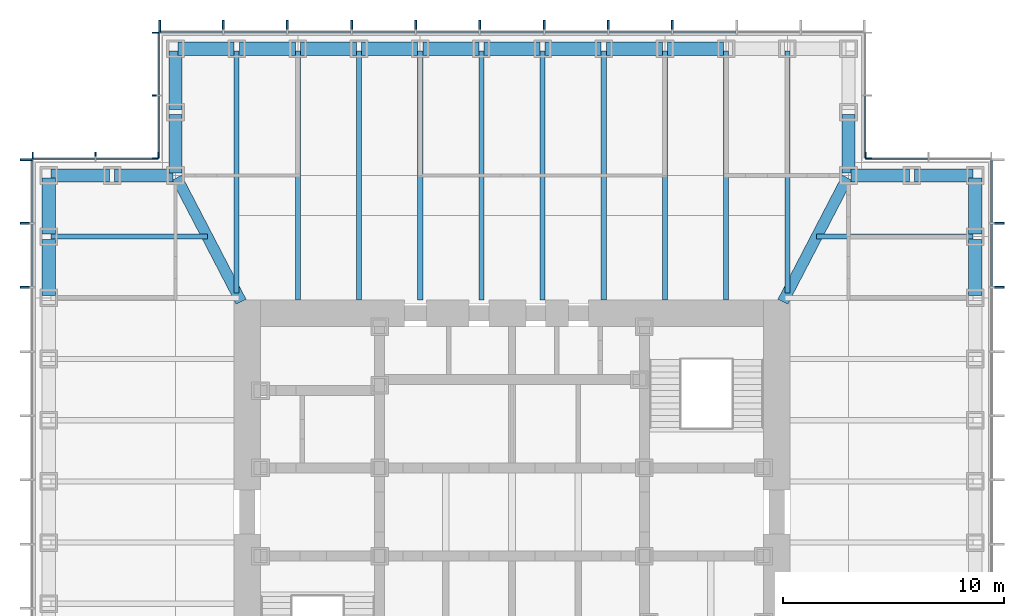
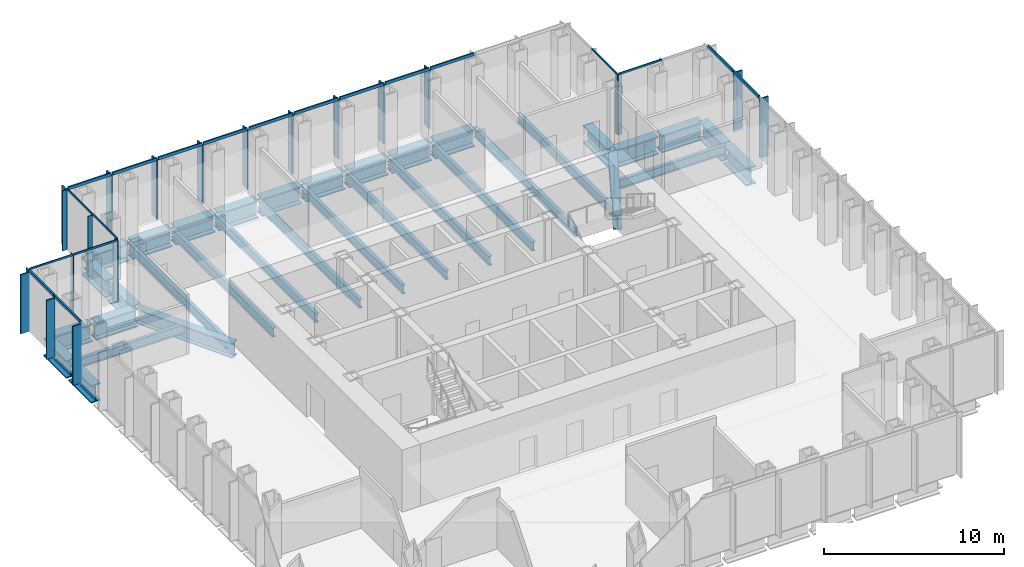
# One storey, part 5 of 16: 41 members, 34 beams, 7 elements without a shape of their own.
"""IFC4 building model written with IfcOpenShell, lengths in metres."""

import ifcopenshell
import ifcopenshell.guid

model = None  # the IFC model being written
_history = None  # IfcOwnerHistory: only IFC2X3 demands one
_inside = {}  # id of a spatial element -> (the spatial element, [elements in it])
_under = {}  # id of a project, library or spatial element -> (it, [spatial elements below it])
_declared = {}  # id of a project -> (the project, [libraries it declares])
_typed = {}  # id of a type object -> (the type object, [elements of that type])
_made_of = {}  # id of a material, layer set ... -> (it, [elements and type objects made of it])


def new_model(schema):
    """Start an empty IFC model of exactly this schema.

    Asked for "IFC4X3", IfcOpenShell would pick the latest addendum, in which some entities
    have other attributes; the version numbers below select the first issue.
    IFC2X3 requires an IfcOwnerHistory on every rooted entity: one is made here for all.
    """
    global model, _history
    if schema == "IFC4X3":
        model = ifcopenshell.file(schema_version=(4, 3, 0, 0))
    else:
        model = ifcopenshell.file(schema=schema)
    _inside.clear()
    _under.clear()
    _declared.clear()
    _typed.clear()
    _made_of.clear()
    _history = None
    if model.schema == "IFC2X3":
        org = make("IfcOrganization", Name="unknown")
        user = make(
            "IfcPersonAndOrganization",
            ThePerson=make("IfcPerson", FamilyName="unknown"),
            TheOrganization=org,
        )
        app = make(
            "IfcApplication",
            ApplicationDeveloper=org,
            Version="unknown",
            ApplicationFullName="unknown",
            ApplicationIdentifier="unknown",
        )
        _history = make(
            "IfcOwnerHistory",
            OwningUser=user,
            OwningApplication=app,
            ChangeAction="ADDED",
            CreationDate=0,
        )
    return model


def make(cls, **values):
    """One entity of the class cls with the attributes given. An attribute that is None is left unset."""
    return model.create_entity(
        cls, **{name: value for name, value in values.items() if value is not None}
    )


def rooted(cls, **values):
    """An entity with a GlobalId (a new one), such as an element, a storey or a relation."""
    return make(cls, GlobalId=ifcopenshell.guid.new(), OwnerHistory=_history, **values)


def si_unit(unit_type, name, prefix=None):
    """IfcSIUnit, for example si_unit("LENGTHUNIT", "METRE", prefix="MILLI")."""
    return make("IfcSIUnit", UnitType=unit_type, Prefix=prefix, Name=name)


def assignment(units):
    """IfcUnitAssignment: the units of a project."""
    return None if units is None else make("IfcUnitAssignment", Units=units)


def point(xyz):
    """IfcCartesianPoint."""
    return None if xyz is None else make("IfcCartesianPoint", Coordinates=xyz)


def direction(xyz):
    """IfcDirection."""
    return None if xyz is None else make("IfcDirection", DirectionRatios=xyz)


def frame(location, z_axis=None, x_axis=None):
    """IfcAxis2Placement3D, a coordinate frame: its origin and axes. An axis left out is left unset."""
    return make(
        "IfcAxis2Placement3D",
        Location=point(location),
        Axis=direction(z_axis),
        RefDirection=direction(x_axis),
    )


def frame_2d(location, x_axis=None):
    """IfcAxis2Placement2D, a coordinate frame in the plane: its origin and x axis."""
    return make(
        "IfcAxis2Placement2D", Location=point(location), RefDirection=direction(x_axis)
    )


def origin():
    """The frame at (0, 0, 0) with its axes left unset."""
    return frame((0.0, 0.0, 0.0))


def origin_2d():
    """The frame at (0, 0) in the plane with its x axis left unset."""
    return frame_2d((0.0, 0.0))


def place(relative_to, where):
    """IfcLocalPlacement: puts the frame where relative to a parent placement (None: the world)."""
    return make(
        "IfcLocalPlacement", PlacementRelTo=relative_to, RelativePlacement=where
    )


def context(
    kind, dimensions, precision=None, world=None, true_north=None, identifier=None
):
    """IfcGeometricRepresentationContext, for example the 3D "Model" context."""
    return make(
        "IfcGeometricRepresentationContext",
        ContextIdentifier=identifier,
        ContextType=kind,
        CoordinateSpaceDimension=dimensions,
        Precision=precision,
        WorldCoordinateSystem=world,
        TrueNorth=true_north,
    )


def subcontext(parent, identifier, kind, view, scale=None):
    """IfcGeometricRepresentationSubContext, for example "Body" below "Model"."""
    return make(
        "IfcGeometricRepresentationSubContext",
        ContextIdentifier=identifier,
        ContextType=kind,
        ParentContext=parent,
        TargetScale=scale,
        TargetView=view,
    )


def project(units=None, contexts=None):
    """IfcProject with its units and contexts."""
    return rooted(
        "IfcProject",
        Name="project",
        RepresentationContexts=contexts,
        UnitsInContext=assignment(units),
    )


def spatial(cls, under=None, at=None, **own):
    """A site, building, storey or space (cls), placed at a placement, below another one or the project."""
    s = rooted(cls, ObjectPlacement=at, **own)
    if under is not None:
        _under.setdefault(under.id(), (under, []))[1].append(s)
    return s


def profile(cls, at=None, kind="AREA", **sizes):
    """A parametric profile (cls). Its sizes go by their IFC names, for example OverallWidth=200.0."""
    return make(cls, ProfileType=kind, Position=at, **sizes)


def rectangle(**sizes):
    """IfcRectangleProfileDef."""
    return profile("IfcRectangleProfileDef", **sizes)


def i_section(**sizes):
    """IfcIShapeProfileDef."""
    return profile("IfcIShapeProfileDef", **sizes)


def extrude(swept, where, along, depth):
    """IfcExtrudedAreaSolid: the profile swept, set in the frame where, extruded along a direction by depth."""
    return make(
        "IfcExtrudedAreaSolid",
        SweptArea=swept,
        Position=where,
        ExtrudedDirection=direction(along),
        Depth=depth,
    )


def shape(context_of_items, identifier, shape_type, items):
    """IfcShapeRepresentation: the items that make up one representation, for example the "Body"."""
    return make(
        "IfcShapeRepresentation",
        ContextOfItems=context_of_items,
        RepresentationIdentifier=identifier,
        RepresentationType=shape_type,
        Items=items,
    )


def material(Name=None, Category=None):
    """IfcMaterial."""
    return make("IfcMaterial", Name=Name, Category=Category)


def material_profile(
    of_material, cross_section, Name=None, Category=None, Priority=None
):
    """IfcMaterialProfile: a cross section and its material."""
    return make(
        "IfcMaterialProfile",
        Name=Name,
        Material=of_material,
        Profile=cross_section,
        Priority=Priority,
        Category=Category,
    )


def profile_set(profiles, Name=None, composite=None):
    """IfcMaterialProfileSet."""
    return make(
        "IfcMaterialProfileSet",
        Name=Name,
        MaterialProfiles=profiles,
        CompositeProfile=composite,
    )


def made_of(thing, what):
    """Note that an element or type object is made of a material, layer set ...; save() writes the relation."""
    if what is not None:
        _made_of.setdefault(what.id(), (what, []))[1].append(thing)
    return thing


def type_object(cls, material=None, **own):
    """A type object (cls), such as IfcWallType, which elements share."""
    return made_of(rooted(cls, **own), material)


def element(
    cls,
    number,
    at=None,
    inside=None,
    cuts=None,
    type_object=None,
    material=None,
    context=None,
    identifier="Body",
    shape_type=None,
    held_by="IfcProductDefinitionShape",
    body=None,
    shapes=None,
    **own,
):
    """One element of the class cls, such as IfcWall. Its Tag is "e" and its number.

    at: its placement. inside: the storey or other place that contains it. cuts: it is an
    opening in that element (IfcRelVoidsElement). A single representation is given by context,
    identifier, shape_type and body (its items); several are given by shapes. held_by: the class
    of the entity that holds the representations. save() writes the other relations.
    """
    e = rooted(cls, Tag="e%d" % number, ObjectPlacement=at, **own)
    if body is not None:
        shapes = [shape(context, identifier, shape_type, body)]
    if shapes is not None:
        e.Representation = make(held_by, Representations=shapes)
    if inside is not None:
        _inside.setdefault(inside.id(), (inside, []))[1].append(e)
    if cuts is not None:
        rooted(
            "IfcRelVoidsElement", RelatingBuildingElement=cuts, RelatedOpeningElement=e
        )
    if type_object is not None:
        _typed.setdefault(type_object.id(), (type_object, []))[1].append(e)
    return made_of(e, material)


def aggregate(whole, parts):
    """IfcRelAggregates: a whole, such as a stair, and the parts it consists of."""
    return rooted("IfcRelAggregates", RelatingObject=whole, RelatedObjects=parts)


def save(model, path):
    """Write the relations noted so far, then the file.

    IfcRelAggregates (storeys below a building ...), IfcRelContainedInSpatialStructure (elements
    in a storey), IfcRelDefinesByType, IfcRelAssociatesMaterial and IfcRelDeclares: one each for
    every whole, place, type object, material and project.
    """
    for whole, parts in _under.values():
        aggregate(whole, parts)
    for where, things in _inside.values():
        rooted(
            "IfcRelContainedInSpatialStructure",
            RelatedElements=things,
            RelatingStructure=where,
        )
    for kind, things in _typed.values():
        rooted("IfcRelDefinesByType", RelatedObjects=things, RelatingType=kind)
    for what, things in _made_of.values():
        rooted("IfcRelAssociatesMaterial", RelatedObjects=things, RelatingMaterial=what)
    for by, libraries in _declared.values():
        rooted("IfcRelDeclares", RelatingContext=by, RelatedDefinitions=libraries)
    model.write(path)


model = new_model("IFC4")

# Units and contexts
model_context = context("Model", 3, precision=1e-05, world=origin(), true_north=direction((0.0, 1.0)))
body_context = subcontext(model_context, "Body", "Model", "MODEL_VIEW")
ifc_project = project(units=[si_unit("LENGTHUNIT", "METRE"), si_unit("AREAUNIT", "SQUARE_METRE"), si_unit("VOLUMEUNIT", "CUBIC_METRE"), si_unit("PLANEANGLEUNIT", "RADIAN"), si_unit("MASSUNIT", "GRAM", prefix="KILO")], contexts=[model_context])

# Site, building, storey
site_placement = place(None, origin())
site = spatial("IfcSite", under=ifc_project, at=site_placement, CompositionType="ELEMENT")
building_placement = place(site_placement, origin())
building = spatial("IfcBuilding", under=site, at=building_placement, Name="Daluyong Arena Tower", CompositionType="ELEMENT")
storey_placement = place(building_placement, frame((0.0, 0.0, 254.5)))
storey = spatial("IfcBuildingStorey", under=building, at=storey_placement, Name="L57", CompositionType="ELEMENT", Elevation=254.5)

# Curtain wall, members
ifc_material_1 = material(Name="Bronze anodised aluminium and glass", Category="aluminium")
curtain_wall_type_1 = type_object("IfcCurtainWallType", Name="Curtain wall CW4", PredefinedType="USERDEFINED", material=ifc_material_1)
curtain_wall_1_placement = place(storey_placement, origin())
curtain_wall_1 = element("IfcCurtainWall", 1, at=curtain_wall_1_placement, inside=storey, type_object=curtain_wall_type_1, Name="curtain wall L57 E", ObjectType="UNITISED CURTAIN WALL", PredefinedType="USERDEFINED")
ifc_material_2 = material(Name="Bronze anodised aluminium fin", Category="aluminium")
ifc_material_profile_1 = material_profile(ifc_material_2, rectangle(XDim=0.550048828125, YDim=0.090087890625, at=origin_2d()))
ifc_profile_set_1 = profile_set([ifc_material_profile_1], Name="Bronze anodised aluminium fin")
member_type_1 = type_object("IfcMemberType", Name="CW4 bronze fin 550x90", PredefinedType="MULLION", material=ifc_profile_set_1)
member_1_placement = place(storey_placement, frame((78.02490234375, 90.181884765625, 0.0), z_axis=(0.0, 0.0, 1.0), x_axis=(-1.0, 0.0, 0.0)))
member_1 = element("IfcMember", 2, at=member_1_placement, type_object=member_type_1, Name="curtain wall L57 E fin 10", PredefinedType="MULLION", context=body_context, shape_type="SweptSolid", body=[
    extrude(rectangle(XDim=0.550048828125, YDim=0.090087890625, at=origin_2d()), origin(), (0.0, 0.0, 1.0), 4.0),
])
member_2_placement = place(storey_placement, frame((78.02490234375, 93.0908203125, 0.0), z_axis=(0.0, 0.0, 1.0), x_axis=(-1.0, 0.0, 0.0)))
member_2 = element("IfcMember", 3, at=member_2_placement, type_object=member_type_1, Name="curtain wall L57 E fin 11", PredefinedType="MULLION", context=body_context, shape_type="SweptSolid", body=[
    extrude(rectangle(XDim=0.550048828125, YDim=0.090087890625, at=origin_2d()), origin(), (0.0, 0.0, 1.0), 4.0),
])

curtain_wall_2_placement = place(storey_placement, origin())
curtain_wall_2 = element("IfcCurtainWall", 4, at=curtain_wall_2_placement, inside=storey, type_object=curtain_wall_type_1, Name="curtain wall L57 N", ObjectType="UNITISED CURTAIN WALL", PredefinedType="USERDEFINED")
member_3_placement = place(storey_placement, frame((63.272705078125, 102.02490234375, 0.0), z_axis=(0.0, 0.0, 1.0), x_axis=(0.0, -1.0, 0.0)))
member_3 = element("IfcMember", 5, at=member_3_placement, type_object=member_type_1, Name="curtain wall L57 N fin 4", PredefinedType="MULLION", context=body_context, shape_type="SweptSolid", body=[
    extrude(rectangle(XDim=0.550048828125, YDim=0.090087890625, at=origin_2d()), origin(), (0.0, 0.0, 1.0), 4.0),
])
member_4_placement = place(storey_placement, frame((60.363525390625, 102.02490234375, 0.0), z_axis=(0.0, 0.0, 1.0), x_axis=(0.0, -1.0, 0.0)))
member_4 = element("IfcMember", 6, at=member_4_placement, type_object=member_type_1, Name="curtain wall L57 N fin 5", PredefinedType="MULLION", context=body_context, shape_type="SweptSolid", body=[
    extrude(rectangle(XDim=0.550048828125, YDim=0.090087890625, at=origin_2d()), origin(), (0.0, 0.0, 1.0), 4.0),
])
member_5_placement = place(storey_placement, frame((57.45458984375, 102.02490234375, 0.0), z_axis=(0.0, 0.0, 1.0), x_axis=(0.0, -1.0, 0.0)))
member_5 = element("IfcMember", 7, at=member_5_placement, type_object=member_type_1, Name="curtain wall L57 N fin 6", PredefinedType="MULLION", context=body_context, shape_type="SweptSolid", body=[
    extrude(rectangle(XDim=0.550048828125, YDim=0.090087890625, at=origin_2d()), origin(), (0.0, 0.0, 1.0), 4.0),
])
member_6_placement = place(storey_placement, frame((54.54541015625, 102.02490234375, 0.0), z_axis=(0.0, 0.0, 1.0), x_axis=(0.0, -1.0, 0.0)))
member_6 = element("IfcMember", 8, at=member_6_placement, type_object=member_type_1, Name="curtain wall L57 N fin 7", PredefinedType="MULLION", context=body_context, shape_type="SweptSolid", body=[
    extrude(rectangle(XDim=0.550048828125, YDim=0.090087890625, at=origin_2d()), origin(), (0.0, 0.0, 1.0), 4.0),
])
member_7_placement = place(storey_placement, frame((51.636474609375, 102.02490234375, 0.0), z_axis=(0.0, 0.0, 1.0), x_axis=(0.0, -1.0, 0.0)))
member_7 = element("IfcMember", 9, at=member_7_placement, type_object=member_type_1, Name="curtain wall L57 N fin 8", PredefinedType="MULLION", context=body_context, shape_type="SweptSolid", body=[
    extrude(rectangle(XDim=0.550048828125, YDim=0.090087890625, at=origin_2d()), origin(), (0.0, 0.0, 1.0), 4.0),
])
member_8_placement = place(storey_placement, frame((48.727294921875, 102.02490234375, 0.0), z_axis=(0.0, 0.0, 1.0), x_axis=(0.0, -1.0, 0.0)))
member_8 = element("IfcMember", 10, at=member_8_placement, type_object=member_type_1, Name="curtain wall L57 N fin 9", PredefinedType="MULLION", context=body_context, shape_type="SweptSolid", body=[
    extrude(rectangle(XDim=0.550048828125, YDim=0.090087890625, at=origin_2d()), origin(), (0.0, 0.0, 1.0), 4.0),
])
member_9_placement = place(storey_placement, frame((45.818115234375, 102.02490234375, 0.0), z_axis=(0.0, 0.0, 1.0), x_axis=(0.0, -1.0, 0.0)))
member_9 = element("IfcMember", 11, at=member_9_placement, type_object=member_type_1, Name="curtain wall L57 N fin 10", PredefinedType="MULLION", context=body_context, shape_type="SweptSolid", body=[
    extrude(rectangle(XDim=0.550048828125, YDim=0.090087890625, at=origin_2d()), origin(), (0.0, 0.0, 1.0), 4.0),
])
member_10_placement = place(storey_placement, frame((42.9091796875, 102.02490234375, 0.0), z_axis=(0.0, 0.0, 1.0), x_axis=(0.0, -1.0, 0.0)))
member_10 = element("IfcMember", 12, at=member_10_placement, type_object=member_type_1, Name="curtain wall L57 N fin 11", PredefinedType="MULLION", context=body_context, shape_type="SweptSolid", body=[
    extrude(rectangle(XDim=0.550048828125, YDim=0.090087890625, at=origin_2d()), origin(), (0.0, 0.0, 1.0), 4.0),
])
member_11_placement = place(storey_placement, frame((40.044921875, 102.02490234375, 0.0), z_axis=(0.0, 0.0, 1.0), x_axis=(0.0, -1.0, 0.0)))
member_11 = element("IfcMember", 13, at=member_11_placement, type_object=member_type_1, Name="curtain wall L57 N fin 12", PredefinedType="MULLION", context=body_context, shape_type="SweptSolid", body=[
    extrude(rectangle(XDim=0.550048828125, YDim=0.090087890625, at=origin_2d()), origin(), (0.0, 0.0, 1.0), 4.0),
])

curtain_wall_3_placement = place(storey_placement, origin())
curtain_wall_3 = element("IfcCurtainWall", 14, at=curtain_wall_3_placement, inside=storey, type_object=curtain_wall_type_1, Name="curtain wall L57 W", ObjectType="UNITISED CURTAIN WALL", PredefinedType="USERDEFINED")
member_12_placement = place(storey_placement, frame((33.97509765625, 95.955078125, 0.0), z_axis=(0.0, 0.0, 1.0), x_axis=(1.0, 0.0, 0.0)))
member_12 = element("IfcMember", 15, at=member_12_placement, type_object=member_type_1, Name="curtain wall L57 W fin 1", PredefinedType="MULLION", context=body_context, shape_type="SweptSolid", body=[
    extrude(rectangle(XDim=0.550048828125, YDim=0.090087890625, at=origin_2d()), origin(), (0.0, 0.0, 1.0), 4.0),
])
member_13_placement = place(storey_placement, frame((33.97509765625, 93.0908203125, 0.0), z_axis=(0.0, 0.0, 1.0), x_axis=(1.0, 0.0, 0.0)))
member_13 = element("IfcMember", 16, at=member_13_placement, type_object=member_type_1, Name="curtain wall L57 W fin 2", PredefinedType="MULLION", context=body_context, shape_type="SweptSolid", body=[
    extrude(rectangle(XDim=0.550048828125, YDim=0.090087890625, at=origin_2d()), origin(), (0.0, 0.0, 1.0), 4.0),
])
member_14_placement = place(storey_placement, frame((33.97509765625, 90.181884765625, 0.0), z_axis=(0.0, 0.0, 1.0), x_axis=(1.0, 0.0, 0.0)))
member_14 = element("IfcMember", 17, at=member_14_placement, type_object=member_type_1, Name="curtain wall L57 W fin 3", PredefinedType="MULLION", context=body_context, shape_type="SweptSolid", body=[
    extrude(rectangle(XDim=0.550048828125, YDim=0.090087890625, at=origin_2d()), origin(), (0.0, 0.0, 1.0), 4.0),
])

# Member
ifc_material_3 = material(Name="Bronze anodised aluminium", Category="aluminium")
ifc_material_profile_2 = material_profile(ifc_material_3, rectangle(XDim=0.090087890625, YDim=0.199951171875, at=origin_2d()))
ifc_profile_set_2 = profile_set([ifc_material_profile_2], Name="Bronze anodised aluminium")
member_type_2 = type_object("IfcMemberType", Name="CW4 stack transom 200x90", PredefinedType="USERDEFINED", material=ifc_profile_set_2)
member_15_placement = place(storey_placement, frame((77.75, 90.226806640625, 4.10009765625), z_axis=(0.0, 1.0, 0.0), x_axis=(-1.0, 0.0, 0.0)))
member_15 = element("IfcMember", 18, at=member_15_placement, type_object=member_type_2, Name="curtain wall L57 E transom 10", ObjectType="TRANSOM", PredefinedType="USERDEFINED", context=body_context, shape_type="SweptSolid", body=[
    extrude(rectangle(XDim=0.090087890625, YDim=0.199951171875, at=origin_2d()), origin(), (0.0, 0.0, 1.0), 2.819091796875),
])

member_16_placement = place(storey_placement, frame((77.75, 93.135986328125, 4.10009765625), z_axis=(0.0, 1.0, 0.0), x_axis=(-1.0, 0.0, 0.0)))
member_16 = element("IfcMember", 19, at=member_16_placement, type_object=member_type_2, Name="curtain wall L57 E transom 11", ObjectType="TRANSOM", PredefinedType="USERDEFINED", context=body_context, shape_type="SweptSolid", body=[
    extrude(rectangle(XDim=0.090087890625, YDim=0.199951171875, at=origin_2d()), origin(), (0.0, 0.0, 1.0), 2.77392578125),
])

aggregate(curtain_wall_1, [member_1, member_2, member_15, member_16])

member_17_placement = place(storey_placement, frame((66.13671875, 101.75, 4.10009765625), z_axis=(-1.0, 0.0, 0.0), x_axis=(0.0, -1.0, 0.0)))
member_17 = element("IfcMember", 20, at=member_17_placement, type_object=member_type_2, Name="curtain wall L57 N transom 3", ObjectType="TRANSOM", PredefinedType="USERDEFINED", context=body_context, shape_type="SweptSolid", body=[
    extrude(rectangle(XDim=0.090087890625, YDim=0.199951171875, at=origin_2d()), origin(), (0.0, 0.0, 1.0), 2.819091796875),
])

member_18_placement = place(storey_placement, frame((63.227783203125, 101.75, 4.10009765625), z_axis=(-1.0, 0.0, 0.0), x_axis=(0.0, -1.0, 0.0)))
member_18 = element("IfcMember", 21, at=member_18_placement, type_object=member_type_2, Name="curtain wall L57 N transom 4", ObjectType="TRANSOM", PredefinedType="USERDEFINED", context=body_context, shape_type="SweptSolid", body=[
    extrude(rectangle(XDim=0.090087890625, YDim=0.199951171875, at=origin_2d()), origin(), (0.0, 0.0, 1.0), 2.819091796875),
])

member_19_placement = place(storey_placement, frame((60.318603515625, 101.75, 4.10009765625), z_axis=(-1.0, 0.0, 0.0), x_axis=(0.0, -1.0, 0.0)))
member_19 = element("IfcMember", 22, at=member_19_placement, type_object=member_type_2, Name="curtain wall L57 N transom 5", ObjectType="TRANSOM", PredefinedType="USERDEFINED", context=body_context, shape_type="SweptSolid", body=[
    extrude(rectangle(XDim=0.090087890625, YDim=0.199951171875, at=origin_2d()), origin(), (0.0, 0.0, 1.0), 2.819091796875),
])

member_20_placement = place(storey_placement, frame((57.409423828125, 101.75, 4.10009765625), z_axis=(-1.0, 0.0, 0.0), x_axis=(0.0, -1.0, 0.0)))
member_20 = element("IfcMember", 23, at=member_20_placement, type_object=member_type_2, Name="curtain wall L57 N transom 6", ObjectType="TRANSOM", PredefinedType="USERDEFINED", context=body_context, shape_type="SweptSolid", body=[
    extrude(rectangle(XDim=0.090087890625, YDim=0.199951171875, at=origin_2d()), origin(), (0.0, 0.0, 1.0), 2.81884765625),
])

member_21_placement = place(storey_placement, frame((54.50048828125, 101.75, 4.10009765625), z_axis=(-1.0, 0.0, 0.0), x_axis=(0.0, -1.0, 0.0)))
member_21 = element("IfcMember", 24, at=member_21_placement, type_object=member_type_2, Name="curtain wall L57 N transom 7", ObjectType="TRANSOM", PredefinedType="USERDEFINED", context=body_context, shape_type="SweptSolid", body=[
    extrude(rectangle(XDim=0.090087890625, YDim=0.199951171875, at=origin_2d()), origin(), (0.0, 0.0, 1.0), 2.819091796875),
])

member_22_placement = place(storey_placement, frame((51.59130859375, 101.75, 4.10009765625), z_axis=(-1.0, 0.0, 0.0), x_axis=(0.0, -1.0, 0.0)))
member_22 = element("IfcMember", 25, at=member_22_placement, type_object=member_type_2, Name="curtain wall L57 N transom 8", ObjectType="TRANSOM", PredefinedType="USERDEFINED", context=body_context, shape_type="SweptSolid", body=[
    extrude(rectangle(XDim=0.090087890625, YDim=0.199951171875, at=origin_2d()), origin(), (0.0, 0.0, 1.0), 2.819091796875),
])

member_23_placement = place(storey_placement, frame((48.682373046875, 101.75, 4.10009765625), z_axis=(-1.0, 0.0, 0.0), x_axis=(0.0, -1.0, 0.0)))
member_23 = element("IfcMember", 26, at=member_23_placement, type_object=member_type_2, Name="curtain wall L57 N transom 9", ObjectType="TRANSOM", PredefinedType="USERDEFINED", context=body_context, shape_type="SweptSolid", body=[
    extrude(rectangle(XDim=0.090087890625, YDim=0.199951171875, at=origin_2d()), origin(), (0.0, 0.0, 1.0), 2.819091796875),
])

member_24_placement = place(storey_placement, frame((45.773193359375, 101.75, 4.10009765625), z_axis=(-1.0, 0.0, 0.0), x_axis=(0.0, -1.0, 0.0)))
member_24 = element("IfcMember", 27, at=member_24_placement, type_object=member_type_2, Name="curtain wall L57 N transom 10", ObjectType="TRANSOM", PredefinedType="USERDEFINED", context=body_context, shape_type="SweptSolid", body=[
    extrude(rectangle(XDim=0.090087890625, YDim=0.199951171875, at=origin_2d()), origin(), (0.0, 0.0, 1.0), 2.819091796875),
])

member_25_placement = place(storey_placement, frame((42.864013671875, 101.75, 4.10009765625), z_axis=(-1.0, 0.0, 0.0), x_axis=(0.0, -1.0, 0.0)))
member_25 = element("IfcMember", 28, at=member_25_placement, type_object=member_type_2, Name="curtain wall L57 N transom 11", ObjectType="TRANSOM", PredefinedType="USERDEFINED", context=body_context, shape_type="SweptSolid", body=[
    extrude(rectangle(XDim=0.090087890625, YDim=0.199951171875, at=origin_2d()), origin(), (0.0, 0.0, 1.0), 2.77392578125),
])

aggregate(curtain_wall_2, [member_3, member_4, member_5, member_6, member_7, member_8, member_9, member_10, member_11, member_17, member_18, member_19, member_20, member_21, member_22, member_23, member_24, member_25])

member_26_placement = place(storey_placement, frame((34.25, 95.909912109375, 4.10009765625), z_axis=(0.0, -1.0, 0.0), x_axis=(1.0, 0.0, 0.0)))
member_26 = element("IfcMember", 29, at=member_26_placement, type_object=member_type_2, Name="curtain wall L57 W transom 1", ObjectType="TRANSOM", PredefinedType="USERDEFINED", context=body_context, shape_type="SweptSolid", body=[
    extrude(rectangle(XDim=0.090087890625, YDim=0.199951171875, at=origin_2d()), origin(), (0.0, 0.0, 1.0), 2.77392578125),
])

member_27_placement = place(storey_placement, frame((34.25, 93.0458984375, 4.10009765625), z_axis=(0.0, -1.0, 0.0), x_axis=(1.0, 0.0, 0.0)))
member_27 = element("IfcMember", 30, at=member_27_placement, type_object=member_type_2, Name="curtain wall L57 W transom 2", ObjectType="TRANSOM", PredefinedType="USERDEFINED", context=body_context, shape_type="SweptSolid", body=[
    extrude(rectangle(XDim=0.090087890625, YDim=0.199951171875, at=origin_2d()), origin(), (0.0, 0.0, 1.0), 2.819091796875),
])

aggregate(curtain_wall_3, [member_12, member_13, member_14, member_26, member_27])

# Curtain wall, member
ifc_material_4 = material(Name="Bronze anodised aluminium and glass", Category="aluminium")
curtain_wall_type_2 = type_object("IfcCurtainWallType", Name="Curtain wall CW7", PredefinedType="USERDEFINED", material=ifc_material_4)
curtain_wall_4_placement = place(storey_placement, origin())
curtain_wall_4 = element("IfcCurtainWall", 31, at=curtain_wall_4_placement, inside=storey, type_object=curtain_wall_type_2, Name="curtain wall L57 NE-N", ObjectType="UNITISED CURTAIN WALL", PredefinedType="USERDEFINED")
ifc_material_5 = material(Name="Bronze anodised aluminium fin", Category="aluminium")
ifc_material_profile_3 = material_profile(ifc_material_5, rectangle(XDim=0.300048828125, YDim=0.06005859375, at=origin_2d()))
ifc_profile_set_3 = profile_set([ifc_material_profile_3], Name="Bronze anodised aluminium fin")
member_type_3 = type_object("IfcMemberType", Name="CW7 bronze fin 300x60", PredefinedType="MULLION", material=ifc_profile_set_3)
member_28_placement = place(storey_placement, frame((72.030029296875, 96.14990234375, 0.0), z_axis=(0.0, 0.0, 1.0), x_axis=(0.0, -1.0, 0.0)))
member_28 = element("IfcMember", 32, at=member_28_placement, type_object=member_type_3, Name="curtain wall L57 NE-N fin 3", PredefinedType="MULLION", context=body_context, shape_type="SweptSolid", body=[
    extrude(rectangle(XDim=0.300048828125, YDim=0.06005859375, at=origin_2d()), origin(), (0.0, 0.0, 1.0), 4.080078125),
])

curtain_wall_5_placement = place(storey_placement, origin())
curtain_wall_5 = element("IfcCurtainWall", 33, at=curtain_wall_5_placement, inside=storey, type_object=curtain_wall_type_2, Name="curtain wall L57 NE-E", ObjectType="UNITISED CURTAIN WALL", PredefinedType="USERDEFINED")
member_29_placement = place(storey_placement, frame((72.14990234375, 96.030029296875, 0.0), z_axis=(0.0, 0.0, 1.0), x_axis=(-1.0, 0.0, 0.0)))
member_29 = element("IfcMember", 34, at=member_29_placement, type_object=member_type_3, Name="curtain wall L57 NE-E fin 1", PredefinedType="MULLION", context=body_context, shape_type="SweptSolid", body=[
    extrude(rectangle(XDim=0.300048828125, YDim=0.06005859375, at=origin_2d()), origin(), (0.0, 0.0, 1.0), 4.080078125),
])

# Curtain wall, members
curtain_wall_6_placement = place(storey_placement, origin())
curtain_wall_6 = element("IfcCurtainWall", 35, at=curtain_wall_6_placement, inside=storey, type_object=curtain_wall_type_2, Name="curtain wall L57 NW-W", ObjectType="UNITISED CURTAIN WALL", PredefinedType="USERDEFINED")
member_30_placement = place(storey_placement, frame((39.85009765625, 101.719970703125, 0.0), z_axis=(0.0, 0.0, 1.0), x_axis=(1.0, 0.0, 0.0)))
member_30 = element("IfcMember", 36, at=member_30_placement, type_object=member_type_3, Name="curtain wall L57 NW-W fin 1", PredefinedType="MULLION", context=body_context, shape_type="SweptSolid", body=[
    extrude(rectangle(XDim=0.300048828125, YDim=0.06005859375, at=origin_2d()), origin(), (0.0, 0.0, 1.0), 4.080078125),
])
member_31_placement = place(storey_placement, frame((39.85009765625, 98.875, 0.0), z_axis=(0.0, 0.0, 1.0), x_axis=(1.0, 0.0, 0.0)))
member_31 = element("IfcMember", 37, at=member_31_placement, type_object=member_type_3, Name="curtain wall L57 NW-W fin 2", PredefinedType="MULLION", context=body_context, shape_type="SweptSolid", body=[
    extrude(rectangle(XDim=0.300048828125, YDim=0.06005859375, at=origin_2d()), origin(), (0.0, 0.0, 1.0), 4.080078125),
])
member_32_placement = place(storey_placement, frame((39.85009765625, 96.030029296875, 0.0), z_axis=(0.0, 0.0, 1.0), x_axis=(1.0, 0.0, 0.0)))
member_32 = element("IfcMember", 38, at=member_32_placement, type_object=member_type_3, Name="curtain wall L57 NW-W fin 3", PredefinedType="MULLION", context=body_context, shape_type="SweptSolid", body=[
    extrude(rectangle(XDim=0.300048828125, YDim=0.06005859375, at=origin_2d()), origin(), (0.0, 0.0, 1.0), 4.080078125),
])

curtain_wall_7_placement = place(storey_placement, origin())
curtain_wall_7 = element("IfcCurtainWall", 39, at=curtain_wall_7_placement, inside=storey, type_object=curtain_wall_type_2, Name="curtain wall L57 NW-N", ObjectType="UNITISED CURTAIN WALL", PredefinedType="USERDEFINED")
member_33_placement = place(storey_placement, frame((39.969970703125, 96.14990234375, 0.0), z_axis=(0.0, 0.0, 1.0), x_axis=(0.0, -1.0, 0.0)))
member_33 = element("IfcMember", 40, at=member_33_placement, type_object=member_type_3, Name="curtain wall L57 NW-N fin 1", PredefinedType="MULLION", context=body_context, shape_type="SweptSolid", body=[
    extrude(rectangle(XDim=0.300048828125, YDim=0.06005859375, at=origin_2d()), origin(), (0.0, 0.0, 1.0), 4.080078125),
])
member_34_placement = place(storey_placement, frame((37.125, 96.14990234375, 0.0), z_axis=(0.0, 0.0, 1.0), x_axis=(0.0, -1.0, 0.0)))
member_34 = element("IfcMember", 41, at=member_34_placement, type_object=member_type_3, Name="curtain wall L57 NW-N fin 2", PredefinedType="MULLION", context=body_context, shape_type="SweptSolid", body=[
    extrude(rectangle(XDim=0.300048828125, YDim=0.06005859375, at=origin_2d()), origin(), (0.0, 0.0, 1.0), 4.080078125),
])
member_35_placement = place(storey_placement, frame((34.280029296875, 96.14990234375, 0.0), z_axis=(0.0, 0.0, 1.0), x_axis=(0.0, -1.0, 0.0)))
member_35 = element("IfcMember", 42, at=member_35_placement, type_object=member_type_3, Name="curtain wall L57 NW-N fin 3", PredefinedType="MULLION", context=body_context, shape_type="SweptSolid", body=[
    extrude(rectangle(XDim=0.300048828125, YDim=0.06005859375, at=origin_2d()), origin(), (0.0, 0.0, 1.0), 4.080078125),
])

# Member
ifc_material_6 = material(Name="Bronze anodised aluminium", Category="aluminium")
ifc_material_profile_4 = material_profile(ifc_material_6, rectangle(XDim=0.06005859375, YDim=0.1201171875, at=origin_2d()))
ifc_profile_set_4 = profile_set([ifc_material_profile_4], Name="Bronze anodised aluminium")
member_type_4 = type_object("IfcMemberType", Name="CW7 stack transom 120x60", PredefinedType="USERDEFINED", material=ifc_profile_set_4)
member_36_placement = place(storey_placement, frame((74.844970703125, 96.0, 4.139892578125), z_axis=(-1.0, 0.0, 0.0), x_axis=(0.0, -1.0, 0.0)))
member_36 = element("IfcMember", 43, at=member_36_placement, type_object=member_type_4, Name="curtain wall L57 NE-N transom 2", ObjectType="TRANSOM", PredefinedType="USERDEFINED", context=body_context, shape_type="SweptSolid", body=[
    extrude(rectangle(XDim=0.06005859375, YDim=0.1201171875, at=origin_2d()), origin(), (0.0, 0.0, 1.0), 2.784912109375),
])

aggregate(curtain_wall_4, [member_28, member_36])

member_37_placement = place(storey_placement, frame((72.0, 96.06005859375, 4.139892578125), z_axis=(0.0, 1.0, 0.0), x_axis=(-1.0, 0.0, 0.0)))
member_37 = element("IfcMember", 44, at=member_37_placement, type_object=member_type_4, Name="curtain wall L57 NE-E transom 1", ObjectType="TRANSOM", PredefinedType="USERDEFINED", context=body_context, shape_type="SweptSolid", body=[
    extrude(rectangle(XDim=0.06005859375, YDim=0.1201171875, at=origin_2d()), origin(), (0.0, 0.0, 1.0), 2.784912109375),
])

aggregate(curtain_wall_5, [member_29, member_37])

member_38_placement = place(storey_placement, frame((40.0, 101.68994140625, 4.139892578125), z_axis=(0.0, -1.0, 0.0), x_axis=(1.0, 0.0, 0.0)))
member_38 = element("IfcMember", 45, at=member_38_placement, type_object=member_type_4, Name="curtain wall L57 NW-W transom 1", ObjectType="TRANSOM", PredefinedType="USERDEFINED", context=body_context, shape_type="SweptSolid", body=[
    extrude(rectangle(XDim=0.06005859375, YDim=0.1201171875, at=origin_2d()), origin(), (0.0, 0.0, 1.0), 2.784912109375),
])

member_39_placement = place(storey_placement, frame((40.0, 98.844970703125, 4.139892578125), z_axis=(0.0, -1.0, 0.0), x_axis=(1.0, 0.0, 0.0)))
member_39 = element("IfcMember", 46, at=member_39_placement, type_object=member_type_4, Name="curtain wall L57 NW-W transom 2", ObjectType="TRANSOM", PredefinedType="USERDEFINED", context=body_context, shape_type="SweptSolid", body=[
    extrude(rectangle(XDim=0.06005859375, YDim=0.1201171875, at=origin_2d()), origin(), (0.0, 0.0, 1.0), 2.784912109375),
])

aggregate(curtain_wall_6, [member_30, member_31, member_32, member_38, member_39])

member_40_placement = place(storey_placement, frame((39.93994140625, 96.0, 4.139892578125), z_axis=(-1.0, 0.0, 0.0), x_axis=(0.0, -1.0, 0.0)))
member_40 = element("IfcMember", 47, at=member_40_placement, type_object=member_type_4, Name="curtain wall L57 NW-N transom 1", ObjectType="TRANSOM", PredefinedType="USERDEFINED", context=body_context, shape_type="SweptSolid", body=[
    extrude(rectangle(XDim=0.06005859375, YDim=0.1201171875, at=origin_2d()), origin(), (0.0, 0.0, 1.0), 2.784912109375),
])

member_41_placement = place(storey_placement, frame((37.094970703125, 96.0, 4.139892578125), z_axis=(-1.0, 0.0, 0.0), x_axis=(0.0, -1.0, 0.0)))
member_41 = element("IfcMember", 48, at=member_41_placement, type_object=member_type_4, Name="curtain wall L57 NW-N transom 2", ObjectType="TRANSOM", PredefinedType="USERDEFINED", context=body_context, shape_type="SweptSolid", body=[
    extrude(rectangle(XDim=0.06005859375, YDim=0.1201171875, at=origin_2d()), origin(), (0.0, 0.0, 1.0), 2.784912109375),
])

aggregate(curtain_wall_7, [member_33, member_34, member_35, member_40, member_41])

# Beams
ifc_material_7 = material(Name="Steel ASTM A572 Grade 50", Category="steel")
ifc_material_profile_5 = material_profile(ifc_material_7, i_section(OverallWidth=0.5, OverallDepth=1.0, WebThickness=0.03, FlangeThickness=0.06, at=origin_2d()))
ifc_profile_set_5 = profile_set([ifc_material_profile_5], Name="Steel ASTM A572 Grade 50")
beam_type_1 = type_object("IfcBeamType", Name="Corner girder TB1000X500", PredefinedType="BEAM", material=ifc_profile_set_5)
for number, where, z_axis, x_axis, name in (
    (49, (71.197021484375, 95.14794921875, -0.659912109375), (-0.461351522179, -0.887217432754, 0.0), (0.887217432754, -0.461351522179, 0.0), "corner girder DG2"),
    (50, (40.802978515625, 95.14794921875, -0.659912109375), (0.461351522179, -0.887217432754, 0.0), (0.887217432754, 0.461351522179, 0.0), "corner girder DG2"),
):
    element("IfcBeam", number, at=place(storey_placement, frame(where, z_axis=z_axis, x_axis=x_axis)), inside=storey, type_object=beam_type_1, Name=name, PredefinedType="BEAM", context=body_context, shape_type="SweptSolid", body=[
        extrude(i_section(OverallWidth=0.5, OverallDepth=1.0, WebThickness=0.03, FlangeThickness=0.06, at=origin_2d()), origin(), (0.0, 0.0, 1.0), 6.32958984375),
    ])
ifc_material_8 = material(Name="Steel ASTM A992 Grade 50", Category="steel")
ifc_material_profile_6 = material_profile(ifc_material_8, i_section(OverallWidth=0.22900390625, OverallDepth=0.612060546875, WebThickness=0.011962890625, FlangeThickness=0.01953125, at=origin_2d()))
ifc_profile_set_6 = profile_set([ifc_material_profile_6], Name="Steel ASTM A992 Grade 50")
beam_type_2 = type_object("IfcBeamType", Name="Floor beam W24X84", PredefinedType="BEAM", material=ifc_profile_set_6)
beam_1_placement = place(storey_placement, frame((76.885009765625, 92.477294921875, -0.466064453125), z_axis=(-1.0, 0.0, 0.0), x_axis=(0.0, -1.0, 0.0)))
element("IfcBeam", 51, at=beam_1_placement, inside=storey, type_object=beam_type_2, Name="floor beam FB3", PredefinedType="BEAM", context=body_context, shape_type="SweptSolid", body=[
    extrude(i_section(OverallWidth=0.22900390625, OverallDepth=0.612060546875, WebThickness=0.011962890625, FlangeThickness=0.01953125, at=origin_2d()), origin(), (0.0, 0.0, 1.0), 7.076904296875),
])
beam_2_placement = place(storey_placement, frame((68.477294921875, 100.885009765625, -0.466064453125), z_axis=(0.0, -1.0, 0.0), x_axis=(1.0, 0.0, 0.0)))
element("IfcBeam", 52, at=beam_2_placement, inside=storey, type_object=beam_type_2, Name="floor beam FB3", PredefinedType="BEAM", context=body_context, shape_type="SweptSolid", body=[
    extrude(i_section(OverallWidth=0.22900390625, OverallDepth=0.612060546875, WebThickness=0.011962890625, FlangeThickness=0.01953125, at=origin_2d()), origin(), (0.0, 0.0, 1.0), 10.96728515625),
])
for number, where, z_axis, x_axis, name in (
    (53, (65.70458984375, 100.885009765625, -0.466064453125), (0.0, -1.0, 0.0), (1.0, 0.0, 0.0), "floor beam FB3"),
    (54, (62.931884765625, 100.885009765625, -0.466064453125), (0.0, -1.0, 0.0), (1.0, 0.0, 0.0), "floor beam FB3"),
    (55, (60.1591796875, 100.885009765625, -0.466064453125), (0.0, -1.0, 0.0), (1.0, 0.0, 0.0), "floor beam FB3"),
    (56, (57.386474609375, 100.885009765625, -0.466064453125), (0.0, -1.0, 0.0), (1.0, 0.0, 0.0), "floor beam FB3"),
    (57, (54.613525390625, 100.885009765625, -0.466064453125), (0.0, -1.0, 0.0), (1.0, 0.0, 0.0), "floor beam FB3"),
    (58, (51.8408203125, 100.885009765625, -0.466064453125), (0.0, -1.0, 0.0), (1.0, 0.0, 0.0), "floor beam FB3"),
    (59, (49.068115234375, 100.885009765625, -0.466064453125), (0.0, -1.0, 0.0), (1.0, 0.0, 0.0), "floor beam FB3"),
    (60, (46.29541015625, 100.885009765625, -0.466064453125), (0.0, -1.0, 0.0), (1.0, 0.0, 0.0), "floor beam FB3"),
):
    element("IfcBeam", number, at=place(storey_placement, frame(where, z_axis=z_axis, x_axis=x_axis)), inside=storey, type_object=beam_type_2, Name=name, PredefinedType="BEAM", context=body_context, shape_type="SweptSolid", body=[
        extrude(i_section(OverallWidth=0.22900390625, OverallDepth=0.612060546875, WebThickness=0.011962890625, FlangeThickness=0.01953125, at=origin_2d()), origin(), (0.0, 0.0, 1.0), 11.284912109375),
    ])
beam_3_placement = place(storey_placement, frame((43.522705078125, 100.885009765625, -0.466064453125), z_axis=(0.0, -1.0, 0.0), x_axis=(1.0, 0.0, 0.0)))
element("IfcBeam", 61, at=beam_3_placement, inside=storey, type_object=beam_type_2, Name="floor beam FB3", PredefinedType="BEAM", context=body_context, shape_type="SweptSolid", body=[
    extrude(i_section(OverallWidth=0.22900390625, OverallDepth=0.612060546875, WebThickness=0.011962890625, FlangeThickness=0.01953125, at=origin_2d()), origin(), (0.0, 0.0, 1.0), 10.96728515625),
])
beam_4_placement = place(storey_placement, frame((35.114990234375, 92.477294921875, -0.466064453125), z_axis=(1.0, 0.0, 0.0), x_axis=(0.0, 1.0, 0.0)))
element("IfcBeam", 62, at=beam_4_placement, inside=storey, type_object=beam_type_2, Name="floor beam FB3", PredefinedType="BEAM", context=body_context, shape_type="SweptSolid", body=[
    extrude(i_section(OverallWidth=0.22900390625, OverallDepth=0.612060546875, WebThickness=0.011962890625, FlangeThickness=0.01953125, at=origin_2d()), origin(), (0.0, 0.0, 1.0), 7.076904296875),
])
ifc_material_9 = material(Name="Steel ASTM A572 Grade 50", Category="steel")
ifc_material_profile_7 = material_profile(ifc_material_9, i_section(OverallWidth=0.60009765625, OverallDepth=1.199951171875, WebThickness=0.03, FlangeThickness=0.08, at=origin_2d()))
ifc_profile_set_7 = profile_set([ifc_material_profile_7], Name="Steel ASTM A572 Grade 50")
beam_type_3 = type_object("IfcBeamType", Name="Spandrel Z4 PG1200X600", PredefinedType="SPANDREL", material=ifc_profile_set_7)
for number, where, z_axis, x_axis, name in (
    (63, (77.0, 89.819580078125, -0.760009765625), (0.0, 1.0, 0.0), (-1.0, 0.0, 0.0), "spandrel z4 SB9"),
    (64, (77.0, 92.59228515625, -0.760009765625), (0.0, 1.0, 0.0), (-1.0, 0.0, 0.0), "spandrel z4 SB9"),
):
    element("IfcBeam", number, at=place(storey_placement, frame(where, z_axis=z_axis, x_axis=x_axis)), inside=storey, type_object=beam_type_3, Name=name, PredefinedType="SPANDREL", context=body_context, shape_type="SweptSolid", body=[
        extrude(i_section(OverallWidth=0.60009765625, OverallDepth=1.199951171875, WebThickness=0.03, FlangeThickness=0.08, at=origin_2d()), origin(), (0.0, 0.0, 1.0), 2.542724609375),
    ])
for number, where, z_axis, x_axis, name in (
    (65, (76.885009765625, 95.25, -0.760009765625), (-1.0, 0.0, 0.0), (0.0, -1.0, 0.0), "spandrel z4 SB9"),
    (66, (74.010009765625, 95.25, -0.760009765625), (-1.0, 0.0, 0.0), (0.0, -1.0, 0.0), "spandrel z4 SB9"),
    (67, (71.25, 95.364990234375, -0.760009765625), (0.0, 1.0, 0.0), (-1.0, 0.0, 0.0), "spandrel z4 SB9"),
):
    element("IfcBeam", number, at=place(storey_placement, frame(where, z_axis=z_axis, x_axis=x_axis)), inside=storey, type_object=beam_type_3, Name=name, PredefinedType="SPANDREL", context=body_context, shape_type="SweptSolid", body=[
        extrude(i_section(OverallWidth=0.60009765625, OverallDepth=1.199951171875, WebThickness=0.03, FlangeThickness=0.08, at=origin_2d()), origin(), (0.0, 0.0, 1.0), 2.64501953125),
    ])
for number, where, z_axis, x_axis, name in (
    (68, (65.589599609375, 101.0, -0.760009765625), (-1.0, 0.0, 0.0), (0.0, -1.0, 0.0), "spandrel z4 SB9"),
    (69, (62.81689453125, 101.0, -0.760009765625), (-1.0, 0.0, 0.0), (0.0, -1.0, 0.0), "spandrel z4 SB9"),
    (70, (60.044189453125, 101.0, -0.760009765625), (-1.0, 0.0, 0.0), (0.0, -1.0, 0.0), "spandrel z4 SB9"),
):
    element("IfcBeam", number, at=place(storey_placement, frame(where, z_axis=z_axis, x_axis=x_axis)), inside=storey, type_object=beam_type_3, Name=name, PredefinedType="SPANDREL", context=body_context, shape_type="SweptSolid", body=[
        extrude(i_section(OverallWidth=0.60009765625, OverallDepth=1.199951171875, WebThickness=0.03, FlangeThickness=0.08, at=origin_2d()), origin(), (0.0, 0.0, 1.0), 2.542724609375),
    ])
beam_5_placement = place(storey_placement, frame((57.271484375, 101.0, -0.760009765625), z_axis=(-1.0, 0.0, 0.0), x_axis=(0.0, -1.0, 0.0)))
element("IfcBeam", 71, at=beam_5_placement, inside=storey, type_object=beam_type_3, Name="spandrel z4 SB9", PredefinedType="SPANDREL", context=body_context, shape_type="SweptSolid", body=[
    extrude(i_section(OverallWidth=0.60009765625, OverallDepth=1.199951171875, WebThickness=0.03, FlangeThickness=0.08, at=origin_2d()), origin(), (0.0, 0.0, 1.0), 2.54296875),
])
for number, where, z_axis, x_axis, name in (
    (72, (54.49853515625, 101.0, -0.760009765625), (-1.0, 0.0, 0.0), (0.0, -1.0, 0.0), "spandrel z4 SB9"),
    (73, (51.725830078125, 101.0, -0.760009765625), (-1.0, 0.0, 0.0), (0.0, -1.0, 0.0), "spandrel z4 SB9"),
    (74, (48.953125, 101.0, -0.760009765625), (-1.0, 0.0, 0.0), (0.0, -1.0, 0.0), "spandrel z4 SB9"),
    (75, (46.180419921875, 101.0, -0.760009765625), (-1.0, 0.0, 0.0), (0.0, -1.0, 0.0), "spandrel z4 SB9"),
    (76, (43.40771484375, 101.0, -0.760009765625), (-1.0, 0.0, 0.0), (0.0, -1.0, 0.0), "spandrel z4 SB9"),
):
    element("IfcBeam", number, at=place(storey_placement, frame(where, z_axis=z_axis, x_axis=x_axis)), inside=storey, type_object=beam_type_3, Name=name, PredefinedType="SPANDREL", context=body_context, shape_type="SweptSolid", body=[
        extrude(i_section(OverallWidth=0.60009765625, OverallDepth=1.199951171875, WebThickness=0.03, FlangeThickness=0.08, at=origin_2d()), origin(), (0.0, 0.0, 1.0), 2.542724609375),
    ])
for number, where, z_axis, x_axis, name in (
    (77, (40.75, 100.885009765625, -0.760009765625), (0.0, -1.0, 0.0), (1.0, 0.0, 0.0), "spandrel z4 SB9"),
    (78, (40.75, 98.010009765625, -0.760009765625), (0.0, -1.0, 0.0), (1.0, 0.0, 0.0), "spandrel z4 SB9"),
    (79, (40.635009765625, 95.25, -0.760009765625), (-1.0, 0.0, 0.0), (0.0, -1.0, 0.0), "spandrel z4 SB9"),
    (80, (37.760009765625, 95.25, -0.760009765625), (-1.0, 0.0, 0.0), (0.0, -1.0, 0.0), "spandrel z4 SB9"),
):
    element("IfcBeam", number, at=place(storey_placement, frame(where, z_axis=z_axis, x_axis=x_axis)), inside=storey, type_object=beam_type_3, Name=name, PredefinedType="SPANDREL", context=body_context, shape_type="SweptSolid", body=[
        extrude(i_section(OverallWidth=0.60009765625, OverallDepth=1.199951171875, WebThickness=0.03, FlangeThickness=0.08, at=origin_2d()), origin(), (0.0, 0.0, 1.0), 2.64501953125),
    ])
for number, where, z_axis, x_axis, name in (
    (81, (35.0, 95.135009765625, -0.760009765625), (0.0, -1.0, 0.0), (1.0, 0.0, 0.0), "spandrel z4 SB9"),
    (82, (35.0, 92.3623046875, -0.760009765625), (0.0, -1.0, 0.0), (1.0, 0.0, 0.0), "spandrel z4 SB9"),
):
    element("IfcBeam", number, at=place(storey_placement, frame(where, z_axis=z_axis, x_axis=x_axis)), inside=storey, type_object=beam_type_3, Name=name, PredefinedType="SPANDREL", context=body_context, shape_type="SweptSolid", body=[
        extrude(i_section(OverallWidth=0.60009765625, OverallDepth=1.199951171875, WebThickness=0.03, FlangeThickness=0.08, at=origin_2d()), origin(), (0.0, 0.0, 1.0), 2.542724609375),
    ])

save(model, "model.ifc")
